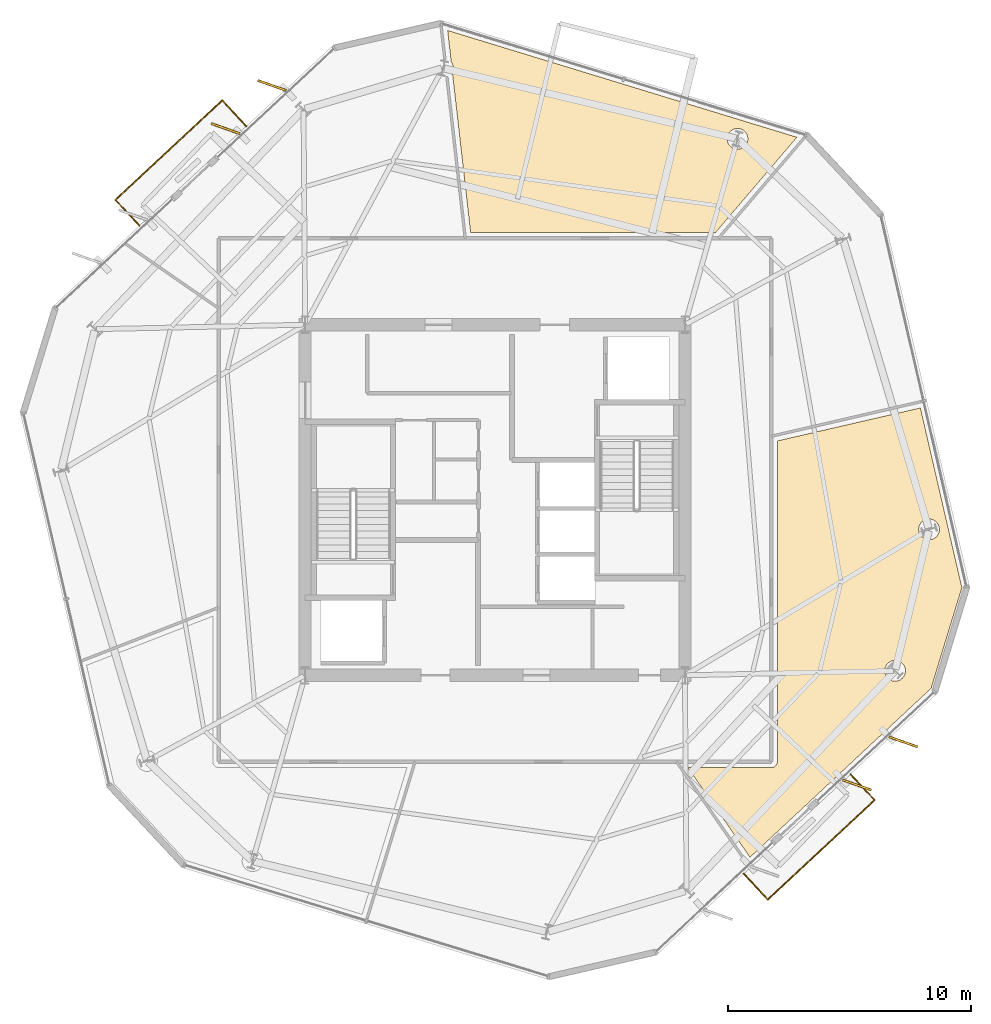
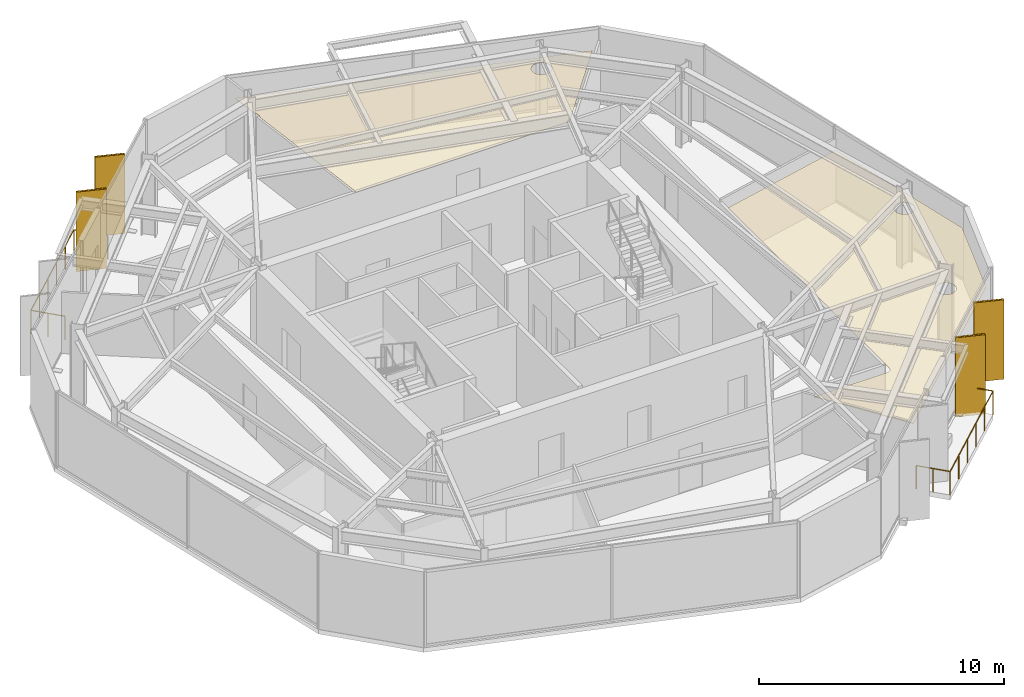
# One storey, part 11 of 11: 6 coverings, 4 shading devices, 2 railings.
"""IFC4 building model written with IfcOpenShell, lengths in metres."""

import ifcopenshell
import ifcopenshell.guid

model = None  # the IFC model being written
_history = None  # IfcOwnerHistory: only IFC2X3 demands one
_inside = {}  # id of a spatial element -> (the spatial element, [elements in it])
_under = {}  # id of a project, library or spatial element -> (it, [spatial elements below it])
_declared = {}  # id of a project -> (the project, [libraries it declares])
_typed = {}  # id of a type object -> (the type object, [elements of that type])
_made_of = {}  # id of a material, layer set ... -> (it, [elements and type objects made of it])


def new_model(schema):
    """Start an empty IFC model of exactly this schema.

    Asked for "IFC4X3", IfcOpenShell would pick the latest addendum, in which some entities
    have other attributes; the version numbers below select the first issue.
    IFC2X3 requires an IfcOwnerHistory on every rooted entity: one is made here for all.
    """
    global model, _history
    if schema == "IFC4X3":
        model = ifcopenshell.file(schema_version=(4, 3, 0, 0))
    else:
        model = ifcopenshell.file(schema=schema)
    _inside.clear()
    _under.clear()
    _declared.clear()
    _typed.clear()
    _made_of.clear()
    _history = None
    if model.schema == "IFC2X3":
        org = make("IfcOrganization", Name="unknown")
        user = make(
            "IfcPersonAndOrganization",
            ThePerson=make("IfcPerson", FamilyName="unknown"),
            TheOrganization=org,
        )
        app = make(
            "IfcApplication",
            ApplicationDeveloper=org,
            Version="unknown",
            ApplicationFullName="unknown",
            ApplicationIdentifier="unknown",
        )
        _history = make(
            "IfcOwnerHistory",
            OwningUser=user,
            OwningApplication=app,
            ChangeAction="ADDED",
            CreationDate=0,
        )
    return model


def make(cls, **values):
    """One entity of the class cls with the attributes given. An attribute that is None is left unset."""
    return model.create_entity(
        cls, **{name: value for name, value in values.items() if value is not None}
    )


def rooted(cls, **values):
    """An entity with a GlobalId (a new one), such as an element, a storey or a relation."""
    return make(cls, GlobalId=ifcopenshell.guid.new(), OwnerHistory=_history, **values)


def si_unit(unit_type, name, prefix=None):
    """IfcSIUnit, for example si_unit("LENGTHUNIT", "METRE", prefix="MILLI")."""
    return make("IfcSIUnit", UnitType=unit_type, Prefix=prefix, Name=name)


def assignment(units):
    """IfcUnitAssignment: the units of a project."""
    return None if units is None else make("IfcUnitAssignment", Units=units)


def point(xyz):
    """IfcCartesianPoint."""
    return None if xyz is None else make("IfcCartesianPoint", Coordinates=xyz)


def direction(xyz):
    """IfcDirection."""
    return None if xyz is None else make("IfcDirection", DirectionRatios=xyz)


def frame(location, z_axis=None, x_axis=None):
    """IfcAxis2Placement3D, a coordinate frame: its origin and axes. An axis left out is left unset."""
    return make(
        "IfcAxis2Placement3D",
        Location=point(location),
        Axis=direction(z_axis),
        RefDirection=direction(x_axis),
    )


def frame_2d(location, x_axis=None):
    """IfcAxis2Placement2D, a coordinate frame in the plane: its origin and x axis."""
    return make(
        "IfcAxis2Placement2D", Location=point(location), RefDirection=direction(x_axis)
    )


def origin():
    """The frame at (0, 0, 0) with its axes left unset."""
    return frame((0.0, 0.0, 0.0))


def origin_2d():
    """The frame at (0, 0) in the plane with its x axis left unset."""
    return frame_2d((0.0, 0.0))


def place(relative_to, where):
    """IfcLocalPlacement: puts the frame where relative to a parent placement (None: the world)."""
    return make(
        "IfcLocalPlacement", PlacementRelTo=relative_to, RelativePlacement=where
    )


def context(
    kind, dimensions, precision=None, world=None, true_north=None, identifier=None
):
    """IfcGeometricRepresentationContext, for example the 3D "Model" context."""
    return make(
        "IfcGeometricRepresentationContext",
        ContextIdentifier=identifier,
        ContextType=kind,
        CoordinateSpaceDimension=dimensions,
        Precision=precision,
        WorldCoordinateSystem=world,
        TrueNorth=true_north,
    )


def subcontext(parent, identifier, kind, view, scale=None):
    """IfcGeometricRepresentationSubContext, for example "Body" below "Model"."""
    return make(
        "IfcGeometricRepresentationSubContext",
        ContextIdentifier=identifier,
        ContextType=kind,
        ParentContext=parent,
        TargetScale=scale,
        TargetView=view,
    )


def project(units=None, contexts=None):
    """IfcProject with its units and contexts."""
    return rooted(
        "IfcProject",
        Name="project",
        RepresentationContexts=contexts,
        UnitsInContext=assignment(units),
    )


def spatial(cls, under=None, at=None, **own):
    """A site, building, storey or space (cls), placed at a placement, below another one or the project."""
    s = rooted(cls, ObjectPlacement=at, **own)
    if under is not None:
        _under.setdefault(under.id(), (under, []))[1].append(s)
    return s


def polyline(points):
    """IfcPolyline through the points."""
    return make("IfcPolyline", Points=[point(p) for p in points])


def profile(cls, at=None, kind="AREA", **sizes):
    """A parametric profile (cls). Its sizes go by their IFC names, for example OverallWidth=200.0."""
    return make(cls, ProfileType=kind, Position=at, **sizes)


def rectangle(**sizes):
    """IfcRectangleProfileDef."""
    return profile("IfcRectangleProfileDef", **sizes)


def circle(**sizes):
    """IfcCircleProfileDef."""
    return profile("IfcCircleProfileDef", **sizes)


def outline(outer, holes=None, kind="AREA"):
    """IfcArbitraryClosedProfileDef: a profile drawn as a closed curve; with holes, ...WithVoids."""
    if holes is None:
        return make("IfcArbitraryClosedProfileDef", ProfileType=kind, OuterCurve=outer)
    return make(
        "IfcArbitraryProfileDefWithVoids",
        ProfileType=kind,
        OuterCurve=outer,
        InnerCurves=holes,
    )


def extrude(swept, where, along, depth):
    """IfcExtrudedAreaSolid: the profile swept, set in the frame where, extruded along a direction by depth."""
    return make(
        "IfcExtrudedAreaSolid",
        SweptArea=swept,
        Position=where,
        ExtrudedDirection=direction(along),
        Depth=depth,
    )


def shape(context_of_items, identifier, shape_type, items):
    """IfcShapeRepresentation: the items that make up one representation, for example the "Body"."""
    return make(
        "IfcShapeRepresentation",
        ContextOfItems=context_of_items,
        RepresentationIdentifier=identifier,
        RepresentationType=shape_type,
        Items=items,
    )


def material(Name=None, Category=None):
    """IfcMaterial."""
    return make("IfcMaterial", Name=Name, Category=Category)


def layer(
    of_material, thickness, ventilated=None, Name=None, Category=None, Priority=None
):
    """IfcMaterialLayer: one layer of a wall or slab, of a material (None: an air gap)."""
    return make(
        "IfcMaterialLayer",
        Material=of_material,
        LayerThickness=thickness,
        IsVentilated=ventilated,
        Name=Name,
        Category=Category,
        Priority=Priority,
    )


def layer_set(layers, Name=None):
    """IfcMaterialLayerSet."""
    return make("IfcMaterialLayerSet", MaterialLayers=layers, LayerSetName=Name)


def made_of(thing, what):
    """Note that an element or type object is made of a material, layer set ...; save() writes the relation."""
    if what is not None:
        _made_of.setdefault(what.id(), (what, []))[1].append(thing)
    return thing


def type_object(cls, material=None, **own):
    """A type object (cls), such as IfcWallType, which elements share."""
    return made_of(rooted(cls, **own), material)


def element(
    cls,
    number,
    at=None,
    inside=None,
    cuts=None,
    type_object=None,
    material=None,
    context=None,
    identifier="Body",
    shape_type=None,
    held_by="IfcProductDefinitionShape",
    body=None,
    shapes=None,
    **own,
):
    """One element of the class cls, such as IfcWall. Its Tag is "e" and its number.

    at: its placement. inside: the storey or other place that contains it. cuts: it is an
    opening in that element (IfcRelVoidsElement). A single representation is given by context,
    identifier, shape_type and body (its items); several are given by shapes. held_by: the class
    of the entity that holds the representations. save() writes the other relations.
    """
    e = rooted(cls, Tag="e%d" % number, ObjectPlacement=at, **own)
    if body is not None:
        shapes = [shape(context, identifier, shape_type, body)]
    if shapes is not None:
        e.Representation = make(held_by, Representations=shapes)
    if inside is not None:
        _inside.setdefault(inside.id(), (inside, []))[1].append(e)
    if cuts is not None:
        rooted(
            "IfcRelVoidsElement", RelatingBuildingElement=cuts, RelatedOpeningElement=e
        )
    if type_object is not None:
        _typed.setdefault(type_object.id(), (type_object, []))[1].append(e)
    return made_of(e, material)


def aggregate(whole, parts):
    """IfcRelAggregates: a whole, such as a stair, and the parts it consists of."""
    return rooted("IfcRelAggregates", RelatingObject=whole, RelatedObjects=parts)


def save(model, path):
    """Write the relations noted so far, then the file.

    IfcRelAggregates (storeys below a building ...), IfcRelContainedInSpatialStructure (elements
    in a storey), IfcRelDefinesByType, IfcRelAssociatesMaterial and IfcRelDeclares: one each for
    every whole, place, type object, material and project.
    """
    for whole, parts in _under.values():
        aggregate(whole, parts)
    for where, things in _inside.values():
        rooted(
            "IfcRelContainedInSpatialStructure",
            RelatedElements=things,
            RelatingStructure=where,
        )
    for kind, things in _typed.values():
        rooted("IfcRelDefinesByType", RelatedObjects=things, RelatingType=kind)
    for what, things in _made_of.values():
        rooted("IfcRelAssociatesMaterial", RelatedObjects=things, RelatingMaterial=what)
    for by, libraries in _declared.values():
        rooted("IfcRelDeclares", RelatingContext=by, RelatedDefinitions=libraries)
    model.write(path)


model = new_model("IFC4")

# Units and contexts
model_context = context("Model", 3, precision=1e-05, world=origin(), true_north=direction((0.0, 1.0)))
body_context = subcontext(model_context, "Body", "Model", "MODEL_VIEW")
ifc_project = project(units=[si_unit("LENGTHUNIT", "METRE"), si_unit("AREAUNIT", "SQUARE_METRE"), si_unit("VOLUMEUNIT", "CUBIC_METRE"), si_unit("PLANEANGLEUNIT", "RADIAN"), si_unit("MASSUNIT", "GRAM", prefix="KILO")], contexts=[model_context])

# Site, building, storey
site_placement = place(None, origin())
site = spatial("IfcSite", under=ifc_project, at=site_placement, CompositionType="ELEMENT")
building_placement = place(site_placement, origin())
building = spatial("IfcBuilding", under=site, at=building_placement, Name="Kranzbogen Civic Tower", CompositionType="ELEMENT")
storey_placement = place(building_placement, frame((0.0, 0.0, 196.800048828125)))
storey = spatial("IfcBuildingStorey", under=building, at=storey_placement, Name="L47", CompositionType="ELEMENT", Elevation=196.800048828125)

# Coverings
ifc_material_1 = material(Name="Pale Anodised Aluminium", Category="aluminium")
ifc_layer_1 = layer(ifc_material_1, 0.02490234375, Name="Pale Anodised Aluminium")
ifc_layer_set_1 = layer_set([ifc_layer_1], Name="Pale Anodised Aluminium")
covering_type_1 = type_object("IfcCoveringType", Name="Anodised Aluminium Vertical Fin Cladding 25 mm", PredefinedType="CLADDING", material=ifc_layer_set_1)
for number, where, z_axis, x_axis, name in (
    (1, (15.8349609375, 42.028076171875, -0.14013671875), (0.0, 0.0, 1.0), (-0.943315378056, 0.33189772148, 0.0), "L47 vertical fin pale-metal cladding F2-1"),
    (2, (13.93310546875, 40.2548828125, -0.14013671875), (0.0, 0.0, 1.0), (-0.943315378056, 0.33189772148, 0.0), "L47 vertical fin pale-metal cladding F2-2"),
    (3, (39.868896484375, 13.2919921875, -0.14013671875), (0.0, 0.0, 1.0), (0.943315378056, -0.33189772148, 0.0), "L47 vertical fin pale-metal cladding F5-4"),
    (4, (41.77099609375, 15.06494140625, -0.14013671875), (0.0, 0.0, 1.0), (0.943315378056, -0.33189772148, 0.0), "L47 vertical fin pale-metal cladding F5-5"),
):
    element("IfcCovering", number, at=place(storey_placement, frame(where, z_axis=z_axis, x_axis=x_axis)), inside=storey, type_object=covering_type_1, Name=name, PredefinedType="CLADDING", context=body_context, shape_type="SweptSolid", body=[
        extrude(rectangle(XDim=1.25, YDim=0.10009765625, at=origin_2d()), origin(), (0.0, 0.0, 1.0), 3.9599609375),
    ])

# Shading devices
ifc_material_2 = material(Name="Anodised Bronze Aluminium", Category="aluminium")
shading_device_type = type_object("IfcShadingDeviceType", Name="Anodised Bronze Vertical Facade Fin 1250x80", PredefinedType="USERDEFINED", material=ifc_material_2)
for number, where, z_axis, x_axis, name in (
    (5, (15.8349609375, 42.028076171875, -0.14013671875), (0.0, 0.0, 1.0), (-0.943315378056, 0.33189772148, 0.0), "L47 vertical exterior shading fin F2-1"),
    (6, (13.93310546875, 40.2548828125, -0.14013671875), (0.0, 0.0, 1.0), (-0.943315378056, 0.33189772148, 0.0), "L47 vertical exterior shading fin F2-2"),
    (7, (39.868896484375, 13.2919921875, -0.14013671875), (0.0, 0.0, 1.0), (0.943315378056, -0.33189772148, 0.0), "L47 vertical exterior shading fin F5-4"),
    (8, (41.77099609375, 15.06494140625, -0.14013671875), (0.0, 0.0, 1.0), (0.943315378056, -0.33189772148, 0.0), "L47 vertical exterior shading fin F5-5"),
):
    element("IfcShadingDevice", number, at=place(storey_placement, frame(where, z_axis=z_axis, x_axis=x_axis)), inside=storey, type_object=shading_device_type, Name=name, ObjectType="FIN", PredefinedType="USERDEFINED", context=body_context, shape_type="SweptSolid", body=[
        extrude(rectangle(XDim=1.25, YDim=0.080078125, at=origin_2d()), origin(), (0.0, 0.0, 1.0), 3.9599609375),
    ])

# Railings
railing_type = type_object("IfcRailingType", Name="Cantilevered Balcony Glass and Bronze Balustrade 1200", PredefinedType="BALUSTRADE", material=ifc_material_2)
railing_1_placement = place(storey_placement, frame((14.781982421875, 40.35693359375, 0.0)))
element("IfcRailing", 9, at=railing_1_placement, inside=storey, type_object=railing_type, Name="L47 exterior terrace balustrade L47-TB1", PredefinedType="BALUSTRADE", context=body_context, shape_type="SweptSolid", body=[
    extrude(circle(Radius=0.02392578125, at=origin_2d()), frame((0.0, 0.0, 1.17578125), z_axis=(-0.682180239854, 0.731184053678, 0.0), x_axis=(-0.731184053678, -0.682180239854, 0.0)), (0.0, 0.0, 1.0), 1.44970703125),
    extrude(circle(Radius=0.02392578125, at=origin_2d()), frame((-0.989013671875, 1.06005859375, 1.17578125), z_axis=(-0.731335306091, -0.682018086318, 0.0), x_axis=(0.682018086318, -0.731335306091, 0.0)), (0.0, 0.0, 1.0), 6.0),
    extrude(circle(Radius=0.02392578125, at=origin_2d()), frame((-5.376953125, -3.031982421875, 1.17578125), z_axis=(0.682180239854, -0.731184053678, 0.0), x_axis=(0.731184053678, 0.682180239854, 0.0)), (0.0, 0.0, 1.0), 1.44970703125),
    extrude(circle(Radius=0.02099609375, at=origin_2d()), origin(), (0.0, 0.0, 1.0), 1.15185546875),
    extrude(circle(Radius=0.02099609375, at=origin_2d()), frame((-0.49462890625, 0.530029296875, 0.0)), (0.0, 0.0, 1.0), 1.15185546875),
    extrude(circle(Radius=0.02099609375, at=origin_2d()), frame((-0.989013671875, 1.06005859375, 0.0)), (0.0, 0.0, 1.0), 1.15185546875),
    extrude(circle(Radius=0.02099609375, at=origin_2d()), frame((-1.86669921875, 0.24169921875, 0.0)), (0.0, 0.0, 1.0), 1.15185546875),
    extrude(circle(Radius=0.02099609375, at=origin_2d()), frame((-2.744140625, -0.57666015625, 0.0)), (0.0, 0.0, 1.0), 1.15185546875),
    extrude(circle(Radius=0.02099609375, at=origin_2d()), frame((-3.621826171875, -1.395263671875, 0.0)), (0.0, 0.0, 1.0), 1.15185546875),
    extrude(circle(Radius=0.02099609375, at=origin_2d()), frame((-4.499267578125, -2.213623046875, 0.0)), (0.0, 0.0, 1.0), 1.15185546875),
    extrude(circle(Radius=0.02099609375, at=origin_2d()), frame((-5.376953125, -3.031982421875, 0.0)), (0.0, 0.0, 1.0), 1.15185546875),
    extrude(circle(Radius=0.02099609375, at=origin_2d()), frame((-4.88232421875, -3.56201171875, 0.0)), (0.0, 0.0, 1.0), 1.15185546875),
    extrude(circle(Radius=0.02099609375, at=origin_2d()), frame((-4.387939453125, -4.092041015625, 0.0)), (0.0, 0.0, 1.0), 1.15185546875),
])
railing_2_placement = place(storey_placement, frame((35.218017578125, 9.64306640625, 0.0)))
element("IfcRailing", 10, at=railing_2_placement, inside=storey, type_object=railing_type, Name="L47 exterior terrace balustrade L47-TB2", PredefinedType="BALUSTRADE", context=body_context, shape_type="SweptSolid", body=[
    extrude(circle(Radius=0.02392578125, at=origin_2d()), frame((0.0, 0.0, 1.17578125), z_axis=(0.682180239854, -0.731184053678, 0.0), x_axis=(0.731184053678, 0.682180239854, 0.0)), (0.0, 0.0, 1.0), 1.44970703125),
    extrude(circle(Radius=0.02392578125, at=origin_2d()), frame((0.989013671875, -1.06005859375, 1.17578125), z_axis=(0.731335306091, 0.682018086318, 0.0), x_axis=(-0.682018086318, 0.731335306091, 0.0)), (0.0, 0.0, 1.0), 6.0),
    extrude(circle(Radius=0.02392578125, at=origin_2d()), frame((5.376953125, 3.031982421875, 1.17578125), z_axis=(-0.682180239854, 0.731184053678, 0.0), x_axis=(-0.731184053678, -0.682180239854, 0.0)), (0.0, 0.0, 1.0), 1.44970703125),
    extrude(circle(Radius=0.02099609375, at=origin_2d()), origin(), (0.0, 0.0, 1.0), 1.15185546875),
    extrude(circle(Radius=0.02099609375, at=origin_2d()), frame((0.49462890625, -0.530029296875, 0.0)), (0.0, 0.0, 1.0), 1.15185546875),
    extrude(circle(Radius=0.02099609375, at=origin_2d()), frame((0.989013671875, -1.06005859375, 0.0)), (0.0, 0.0, 1.0), 1.15185546875),
    extrude(circle(Radius=0.02099609375, at=origin_2d()), frame((1.86669921875, -0.24169921875, 0.0)), (0.0, 0.0, 1.0), 1.15185546875),
    extrude(circle(Radius=0.02099609375, at=origin_2d()), frame((2.744140625, 0.57666015625, 0.0)), (0.0, 0.0, 1.0), 1.15185546875),
    extrude(circle(Radius=0.02099609375, at=origin_2d()), frame((3.621826171875, 1.395263671875, 0.0)), (0.0, 0.0, 1.0), 1.15185546875),
    extrude(circle(Radius=0.02099609375, at=origin_2d()), frame((4.499267578125, 2.213623046875, 0.0)), (0.0, 0.0, 1.0), 1.15185546875),
    extrude(circle(Radius=0.02099609375, at=origin_2d()), frame((5.376953125, 3.031982421875, 0.0)), (0.0, 0.0, 1.0), 1.15185546875),
    extrude(circle(Radius=0.02099609375, at=origin_2d()), frame((4.88232421875, 3.56201171875, 0.0)), (0.0, 0.0, 1.0), 1.15185546875),
    extrude(circle(Radius=0.02099609375, at=origin_2d()), frame((4.387939453125, 4.092041015625, 0.0)), (0.0, 0.0, 1.0), 1.15185546875),
])

# Coverings
ifc_material_3 = material(Name="Perforated Acoustic Gypsum Ceiling")
ifc_layer_2 = layer(ifc_material_3, 0.02490234375, Name="Perforated Acoustic Gypsum Ceiling")
ifc_layer_set_2 = layer_set([ifc_layer_2], Name="Perforated Acoustic Gypsum Ceiling")
covering_type_2 = type_object("IfcCoveringType", Name="Perforated Acoustic Mineral Ceiling Tile 25 mm", PredefinedType="CEILING", material=ifc_layer_set_2)
covering_1_placement = place(storey_placement, frame((0.0, 0.0, 2.75)))
element("IfcCovering", 11, at=covering_1_placement, inside=storey, type_object=covering_type_2, Name="L47 Citizen Services Kiosk acoustic ceiling", PredefinedType="CEILING", context=body_context, shape_type="SweptSolid", body=[
    extrude(outline(polyline([(42.912109375, 17.261962890625), (35.47412109375, 10.325927734375), (32.923095703125, 14.0048828125), (36.35009765625, 14.0048828125), (36.35888671875, 14.0048828125), (36.364990234375, 14.006103515625), (36.383056640625, 14.007080078125), (36.388916015625, 14.008056640625), (36.406005859375, 14.011962890625), (36.4130859375, 14.012939453125), (36.429931640625, 14.01806640625), (36.43603515625, 14.02001953125), (36.451904296875, 14.027099609375), (36.4580078125, 14.030029296875), (36.472900390625, 14.0380859375), (36.47900390625, 14.0419921875), (36.492919921875, 14.051025390625), (36.498046875, 14.054931640625), (36.511962890625, 14.06591796875), (36.51708984375, 14.071044921875), (36.529052734375, 14.0830078125), (36.533935546875, 14.087890625), (36.544921875, 14.10205078125), (36.549072265625, 14.10693359375), (36.55810546875, 14.12109375), (36.56201171875, 14.126953125), (36.570068359375, 14.14208984375), (36.572998046875, 14.14794921875), (36.580078125, 14.1640625), (36.58203125, 14.169921875), (36.5869140625, 14.18701171875), (36.587890625, 14.194091796875), (36.592041015625, 14.2109375), (36.593017578125, 14.217041015625), (36.593994140625, 14.235107421875), (36.594970703125, 14.240966796875), (36.594970703125, 14.25), (36.594970703125, 27.425048828125), (42.471923828125, 28.781982421875), (44.177001953125, 21.39892578125), (42.912109375, 17.261962890625)]), holes=[polyline([(41.825927734375, 17.821044921875), (41.80810546875, 17.782958984375), (41.787109375, 17.748046875), (41.761962890625, 17.714111328125), (41.73388671875, 17.68310546875), (41.702880859375, 17.655029296875), (41.6689453125, 17.6298828125), (41.634033203125, 17.60888671875), (41.595947265625, 17.591064453125), (41.556884765625, 17.576904296875), (41.51611328125, 17.56689453125), (41.47509765625, 17.56103515625), (41.43310546875, 17.55908203125), (41.39111328125, 17.56103515625), (41.35009765625, 17.56689453125), (41.30908203125, 17.576904296875), (41.27001953125, 17.591064453125), (41.23193359375, 17.60888671875), (41.197021484375, 17.6298828125), (41.1630859375, 17.655029296875), (41.132080078125, 17.68310546875), (41.10400390625, 17.714111328125), (41.0791015625, 17.748046875), (41.05810546875, 17.782958984375), (41.0400390625, 17.821044921875), (41.02587890625, 17.860107421875), (41.01611328125, 17.90087890625), (41.010009765625, 17.94189453125), (41.008056640625, 17.98388671875), (41.010009765625, 18.02587890625), (41.01611328125, 18.06689453125), (41.02587890625, 18.10791015625), (41.0400390625, 18.14697265625), (41.05810546875, 18.18505859375), (41.0791015625, 18.219970703125), (41.10400390625, 18.25390625), (41.132080078125, 18.284912109375), (41.1630859375, 18.31298828125), (41.197021484375, 18.337890625), (41.23193359375, 18.35888671875), (41.27001953125, 18.376953125), (41.30908203125, 18.39111328125), (41.35009765625, 18.40087890625), (41.39111328125, 18.406982421875), (41.43310546875, 18.408935546875), (41.47509765625, 18.406982421875), (41.51611328125, 18.40087890625), (41.556884765625, 18.39111328125), (41.595947265625, 18.376953125), (41.634033203125, 18.35888671875), (41.6689453125, 18.337890625), (41.702880859375, 18.31298828125), (41.73388671875, 18.284912109375), (41.761962890625, 18.25390625), (41.787109375, 18.219970703125), (41.80810546875, 18.18505859375), (41.825927734375, 18.14697265625), (41.840087890625, 18.10791015625), (41.85009765625, 18.06689453125), (41.85595703125, 18.02587890625), (41.85791015625, 17.98388671875), (41.85595703125, 17.94189453125), (41.85009765625, 17.90087890625), (41.840087890625, 17.860107421875), (41.825927734375, 17.821044921875)]), polyline([(43.220947265625, 23.6279296875), (43.202880859375, 23.590087890625), (43.181884765625, 23.554931640625), (43.156982421875, 23.52099609375), (43.12890625, 23.489990234375), (43.097900390625, 23.4619140625), (43.06396484375, 23.43701171875), (43.029052734375, 23.416015625), (42.990966796875, 23.39794921875), (42.951904296875, 23.384033203125), (42.910888671875, 23.3740234375), (42.8701171875, 23.367919921875), (42.827880859375, 23.365966796875), (42.785888671875, 23.367919921875), (42.7451171875, 23.3740234375), (42.7041015625, 23.384033203125), (42.6650390625, 23.39794921875), (42.626953125, 23.416015625), (42.592041015625, 23.43701171875), (42.55810546875, 23.4619140625), (42.527099609375, 23.489990234375), (42.4990234375, 23.52099609375), (42.47412109375, 23.554931640625), (42.452880859375, 23.590087890625), (42.43505859375, 23.6279296875), (42.4208984375, 23.6669921875), (42.410888671875, 23.7080078125), (42.405029296875, 23.7490234375), (42.403076171875, 23.791015625), (42.405029296875, 23.8330078125), (42.410888671875, 23.8740234375), (42.4208984375, 23.9150390625), (42.43505859375, 23.9541015625), (42.452880859375, 23.991943359375), (42.47412109375, 24.027099609375), (42.4990234375, 24.06103515625), (42.527099609375, 24.092041015625), (42.55810546875, 24.1201171875), (42.592041015625, 24.14501953125), (42.626953125, 24.166015625), (42.6650390625, 24.18408203125), (42.7041015625, 24.197998046875), (42.7451171875, 24.2080078125), (42.785888671875, 24.214111328125), (42.827880859375, 24.216064453125), (42.8701171875, 24.214111328125), (42.910888671875, 24.2080078125), (42.951904296875, 24.197998046875), (42.990966796875, 24.18408203125), (43.029052734375, 24.166015625), (43.06396484375, 24.14501953125), (43.097900390625, 24.1201171875), (43.12890625, 24.092041015625), (43.156982421875, 24.06103515625), (43.181884765625, 24.027099609375), (43.202880859375, 23.991943359375), (43.220947265625, 23.9541015625), (43.235107421875, 23.9150390625), (43.2451171875, 23.8740234375), (43.2509765625, 23.8330078125), (43.2529296875, 23.791015625), (43.2509765625, 23.7490234375), (43.2451171875, 23.7080078125), (43.235107421875, 23.6669921875), (43.220947265625, 23.6279296875)])]), origin(), (0.0, 0.0, 1.0), 0.02490234375),
])
covering_2_placement = place(storey_placement, frame((0.0, 0.0, 2.75)))
element("IfcCovering", 12, at=covering_2_placement, inside=storey, type_object=covering_type_2, Name="L47 Licensing Information Kiosk acoustic ceiling", PredefinedType="CEILING", context=body_context, shape_type="SweptSolid", body=[
    extrude(outline(polyline([(34.06494140625, 35.9951171875), (23.99609375, 35.9951171875), (23.248046875, 42.56689453125), (23.2529296875, 42.576904296875), (23.26708984375, 42.615966796875), (23.277099609375, 42.656982421875), (23.282958984375, 42.697998046875), (23.284912109375, 42.739990234375), (23.282958984375, 42.781982421875), (23.277099609375, 42.822998046875), (23.26708984375, 42.864013671875), (23.2529296875, 42.903076171875), (23.235107421875, 42.94091796875), (23.214111328125, 42.97607421875), (23.198974609375, 42.99609375), (23.052978515625, 44.287109375), (37.39892578125, 39.90087890625), (34.06494140625, 35.9951171875)]), holes=[polyline([(35.35400390625, 39.672119140625), (35.3359375, 39.634033203125), (35.31494140625, 39.59912109375), (35.2900390625, 39.56494140625), (35.261962890625, 39.533935546875), (35.23095703125, 39.506103515625), (35.197021484375, 39.48095703125), (35.162109375, 39.4599609375), (35.1240234375, 39.44189453125), (35.0849609375, 39.427978515625), (35.0439453125, 39.41796875), (35.0029296875, 39.412109375), (34.9609375, 39.409912109375), (34.9189453125, 39.412109375), (34.8779296875, 39.41796875), (34.8369140625, 39.427978515625), (34.798095703125, 39.44189453125), (34.760009765625, 39.4599609375), (34.72509765625, 39.48095703125), (34.69091796875, 39.506103515625), (34.659912109375, 39.533935546875), (34.632080078125, 39.56494140625), (34.60693359375, 39.59912109375), (34.5859375, 39.634033203125), (34.568115234375, 39.672119140625), (34.553955078125, 39.7109375), (34.5439453125, 39.751953125), (34.5380859375, 39.79296875), (34.535888671875, 39.8349609375), (34.5380859375, 39.876953125), (34.5439453125, 39.91796875), (34.553955078125, 39.958984375), (34.568115234375, 39.998046875), (34.5859375, 40.035888671875), (34.60693359375, 40.071044921875), (34.632080078125, 40.10498046875), (34.659912109375, 40.135986328125), (34.69091796875, 40.1640625), (34.72509765625, 40.18896484375), (34.760009765625, 40.2099609375), (34.798095703125, 40.22802734375), (34.8369140625, 40.241943359375), (34.8779296875, 40.251953125), (34.9189453125, 40.258056640625), (34.9609375, 40.260009765625), (35.0029296875, 40.258056640625), (35.0439453125, 40.251953125), (35.0849609375, 40.241943359375), (35.1240234375, 40.22802734375), (35.162109375, 40.2099609375), (35.197021484375, 40.18896484375), (35.23095703125, 40.1640625), (35.261962890625, 40.135986328125), (35.2900390625, 40.10498046875), (35.31494140625, 40.071044921875), (35.3359375, 40.035888671875), (35.35400390625, 39.998046875), (35.367919921875, 39.958984375), (35.3779296875, 39.91796875), (35.384033203125, 39.876953125), (35.385986328125, 39.8349609375), (35.384033203125, 39.79296875), (35.3779296875, 39.751953125), (35.367919921875, 39.7109375), (35.35400390625, 39.672119140625)])]), origin(), (0.0, 0.0, 1.0), 0.02490234375),
])

save(model, "model.ifc")
